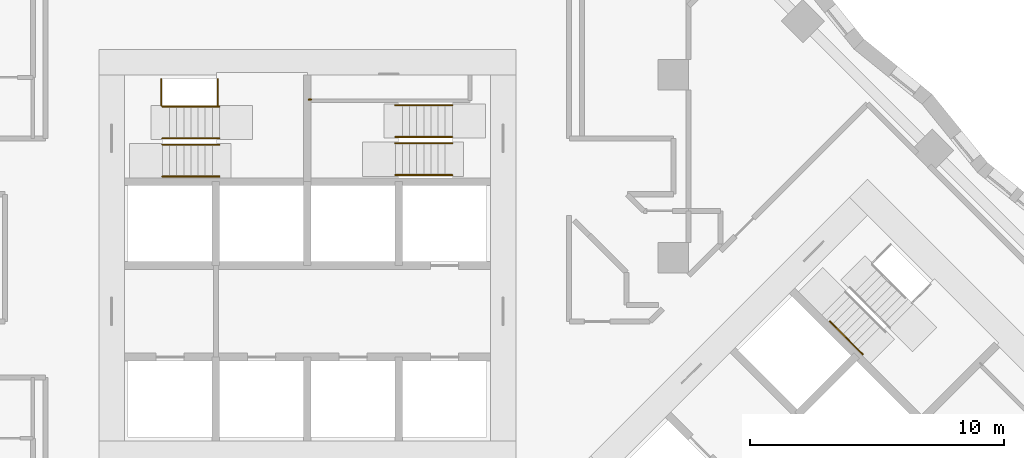
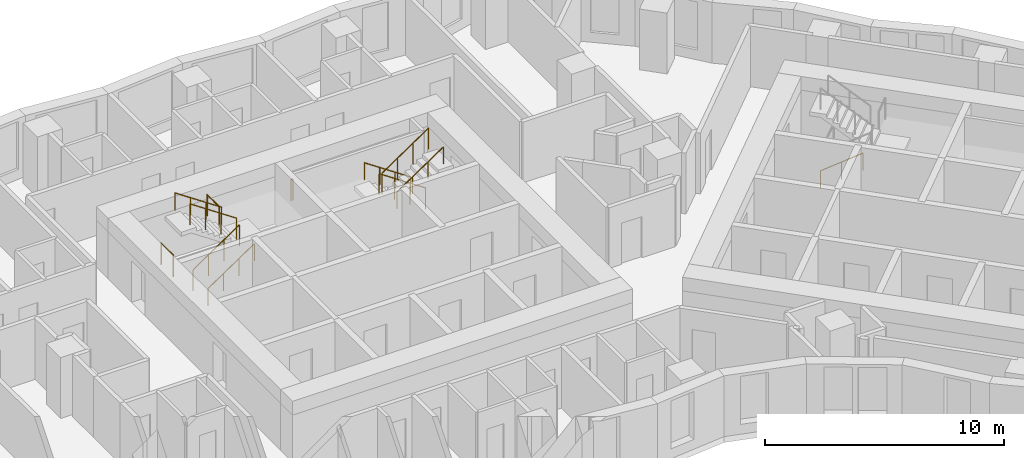
# One storey, part 12 of 13: 12 railings.
"""IFC4 building model written with IfcOpenShell, lengths in metres."""

from ifc_helpers import new_model, si_unit, direction, frame, origin, origin_2d, place, context, subcontext, project, spatial, circle, extrude, material, type_object, element, save


model = new_model("IFC4")

# Units and contexts
model_context = context("Model", 3, precision=1e-05, world=origin(), true_north=direction((0.0, 1.0)))
body_context = subcontext(model_context, "Body", "Model", "MODEL_VIEW")
ifc_project = project(units=[si_unit("LENGTHUNIT", "METRE"), si_unit("AREAUNIT", "SQUARE_METRE"), si_unit("VOLUMEUNIT", "CUBIC_METRE"), si_unit("PLANEANGLEUNIT", "RADIAN"), si_unit("MASSUNIT", "GRAM", prefix="KILO")], contexts=[model_context])

# Site, building, storey
site_placement = place(None, origin())
site = spatial("IfcSite", under=ifc_project, at=site_placement, CompositionType="ELEMENT")
building_placement = place(site_placement, origin())
building = spatial("IfcBuilding", under=site, at=building_placement, Name="Windrow Commons", CompositionType="ELEMENT")
storey_placement = place(building_placement, frame((0.0, 0.0, 33.8)))
storey = spatial("IfcBuildingStorey", under=building, at=storey_placement, Name="L08", CompositionType="ELEMENT", Elevation=33.8)

# Railings
ifc_material_1 = material(Name="Steel S355", Category="steel")
railing_type_1 = type_object("IfcRailingType", Name="Core stair guard 1100", PredefinedType="GUARDRAIL", material=ifc_material_1)
railing_1_placement = place(storey_placement, frame((59.1, 62.05, 0.1889)))
element("IfcRailing", 1, at=railing_1_placement, inside=storey, type_object=railing_type_1, Name="L08 ST-A1 stair guard 1", PredefinedType="GUARDRAIL", context=body_context, shape_type="SweptSolid", body=[
    extrude(circle(Radius=0.024, at=origin_2d()), frame((0.0, 0.0, 1.076), z_axis=(0.8290030985, 0.0, 0.5592440099), x_axis=(0.0, 1.0, 0.0)), (0.0, 0.0, 1.0), 2.702),
    extrude(circle(Radius=0.021, at=origin_2d()), origin(), (0.0, 0.0, 1.0), 1.052),
    extrude(circle(Radius=0.021, at=origin_2d()), frame((0.7467, 0.0, 0.5037)), (0.0, 0.0, 1.0), 1.052),
    extrude(circle(Radius=0.021, at=origin_2d()), frame((1.4933, 0.0, 1.0074)), (0.0, 0.0, 1.0), 1.052),
    extrude(circle(Radius=0.021, at=origin_2d()), frame((2.24, 0.0, 1.5111)), (0.0, 0.0, 1.0), 1.052),
])
railing_2_placement = place(storey_placement, frame((61.34, 62.3, 1.8889)))
element("IfcRailing", 2, at=railing_2_placement, inside=storey, type_object=railing_type_1, Name="L08 ST-A1 stair guard 2", PredefinedType="GUARDRAIL", context=body_context, shape_type="SweptSolid", body=[
    extrude(circle(Radius=0.024, at=origin_2d()), frame((0.0, 0.0, 1.076), z_axis=(-0.8290030985, 0.0, 0.5592440099), x_axis=(0.0, -1.0, 0.0)), (0.0, 0.0, 1.0), 2.702),
    extrude(circle(Radius=0.021, at=origin_2d()), origin(), (0.0, 0.0, 1.0), 1.052),
    extrude(circle(Radius=0.021, at=origin_2d()), frame((-0.7467, 0.0, 0.5037)), (0.0, 0.0, 1.0), 1.052),
    extrude(circle(Radius=0.021, at=origin_2d()), frame((-1.4933, 0.0, 1.0074)), (0.0, 0.0, 1.0), 1.052),
    extrude(circle(Radius=0.021, at=origin_2d()), frame((-2.24, 0.0, 1.5111)), (0.0, 0.0, 1.0), 1.052),
])
for number, where, name in (
    (3, (59.05, 63.6, 0.0), "L08 ST-A1 stair guard 3"),
    (4, (61.27, 63.6, 1.7), "L08 ST-A1 stair guard 4"),
):
    element("IfcRailing", number, at=place(storey_placement, frame(where)), inside=storey, type_object=railing_type_1, Name=name, PredefinedType="GUARDRAIL", context=body_context, shape_type="SweptSolid", body=[
        extrude(circle(Radius=0.024, at=origin_2d()), frame((0.0, 0.0, 1.076), z_axis=(0.0, 1.0, 0.0), x_axis=(-1.0, 0.0, 0.0)), (0.0, 0.0, 1.0), 1.03),
        extrude(circle(Radius=0.021, at=origin_2d()), origin(), (0.0, 0.0, 1.0), 1.052),
        extrude(circle(Radius=0.021, at=origin_2d()), frame((0.0, 1.03, 0.0)), (0.0, 0.0, 1.0), 1.052),
    ])
railing_3_placement = place(storey_placement, frame((70.5, 62.355, 0.1889)))
element("IfcRailing", 5, at=railing_3_placement, inside=storey, type_object=railing_type_1, Name="L08 ST-A2 stair guard 1", PredefinedType="GUARDRAIL", context=body_context, shape_type="SweptSolid", body=[
    extrude(circle(Radius=0.024, at=origin_2d()), frame((0.0, 0.0, 1.076), z_axis=(-0.8290030985, 0.0, 0.5592440099), x_axis=(0.0, -1.0, 0.0)), (0.0, 0.0, 1.0), 2.702),
    extrude(circle(Radius=0.021, at=origin_2d()), origin(), (0.0, 0.0, 1.0), 1.052),
    extrude(circle(Radius=0.021, at=origin_2d()), frame((-0.7467, 0.0, 0.5037)), (0.0, 0.0, 1.0), 1.052),
    extrude(circle(Radius=0.021, at=origin_2d()), frame((-1.4933, 0.0, 1.0074)), (0.0, 0.0, 1.0), 1.052),
    extrude(circle(Radius=0.021, at=origin_2d()), frame((-2.24, 0.0, 1.5111)), (0.0, 0.0, 1.0), 1.052),
])
railing_4_placement = place(storey_placement, frame((68.26, 62.105, 1.8889)))
element("IfcRailing", 6, at=railing_4_placement, inside=storey, type_object=railing_type_1, Name="L08 ST-A2 stair guard 2", PredefinedType="GUARDRAIL", context=body_context, shape_type="SweptSolid", body=[
    extrude(circle(Radius=0.024, at=origin_2d()), frame((0.0, 0.0, 1.076), z_axis=(0.8290030985, 0.0, 0.5592440099), x_axis=(0.0, 1.0, 0.0)), (0.0, 0.0, 1.0), 2.702),
    extrude(circle(Radius=0.021, at=origin_2d()), origin(), (0.0, 0.0, 1.0), 1.052),
    extrude(circle(Radius=0.021, at=origin_2d()), frame((0.7467, 0.0, 0.5037)), (0.0, 0.0, 1.0), 1.052),
    extrude(circle(Radius=0.021, at=origin_2d()), frame((1.4933, 0.0, 1.0074)), (0.0, 0.0, 1.0), 1.052),
    extrude(circle(Radius=0.021, at=origin_2d()), frame((2.24, 0.0, 1.5111)), (0.0, 0.0, 1.0), 1.052),
])
railing_5_placement = place(storey_placement, frame((64.95, 63.825, 1.7)))
element("IfcRailing", 7, at=railing_5_placement, inside=storey, type_object=railing_type_1, Name="L08 ST-A2 stair guard 3", PredefinedType="GUARDRAIL", context=body_context, shape_type="SweptSolid", body=[
    extrude(circle(Radius=0.024, at=origin_2d()), frame((0.0, 0.0, 1.076), z_axis=(-1.0, 0.0, 0.0), x_axis=(0.0, -1.0, 0.0)), (0.0, 0.0, 1.0), 0.1),
    extrude(circle(Radius=0.021, at=origin_2d()), origin(), (0.0, 0.0, 1.0), 1.052),
    extrude(circle(Radius=0.021, at=origin_2d()), frame((-0.1, 0.0, 0.0)), (0.0, 0.0, 1.0), 1.052),
])
ifc_material_2 = material(Name="Steel S355", Category="steel")
railing_type_2 = type_object("IfcRailingType", Name="Core stair handrail 900", PredefinedType="HANDRAIL", material=ifc_material_2)
railing_6_placement = place(storey_placement, frame((59.1, 60.8, 0.1889)))
element("IfcRailing", 8, at=railing_6_placement, inside=storey, type_object=railing_type_2, Name="L08 ST-A1 stair handrail 1", PredefinedType="HANDRAIL", context=body_context, shape_type="SweptSolid", body=[
    extrude(circle(Radius=0.024, at=origin_2d()), frame((0.0, 0.0, 0.876), z_axis=(0.8290030985, 0.0, 0.5592440099), x_axis=(0.0, 1.0, 0.0)), (0.0, 0.0, 1.0), 2.702),
    extrude(circle(Radius=0.021, at=origin_2d()), origin(), (0.0, 0.0, 1.0), 0.852),
    extrude(circle(Radius=0.021, at=origin_2d()), frame((0.7467, 0.0, 0.5037)), (0.0, 0.0, 1.0), 0.852),
    extrude(circle(Radius=0.021, at=origin_2d()), frame((1.4933, 0.0, 1.0074)), (0.0, 0.0, 1.0), 0.852),
    extrude(circle(Radius=0.021, at=origin_2d()), frame((2.24, 0.0, 1.5111)), (0.0, 0.0, 1.0), 0.852),
])
for number, where, name in (
    (9, (61.34, 63.55, 1.8889), "L08 ST-A1 stair handrail 2"),
    (10, (70.5, 63.605, 0.1889), "L08 ST-A2 stair handrail 1"),
):
    element("IfcRailing", number, at=place(storey_placement, frame(where)), inside=storey, type_object=railing_type_2, Name=name, PredefinedType="HANDRAIL", context=body_context, shape_type="SweptSolid", body=[
        extrude(circle(Radius=0.024, at=origin_2d()), frame((0.0, 0.0, 0.876), z_axis=(-0.8290030985, 0.0, 0.5592440099), x_axis=(0.0, -1.0, 0.0)), (0.0, 0.0, 1.0), 2.702),
        extrude(circle(Radius=0.021, at=origin_2d()), origin(), (0.0, 0.0, 1.0), 0.852),
        extrude(circle(Radius=0.021, at=origin_2d()), frame((-0.7467, 0.0, 0.5037)), (0.0, 0.0, 1.0), 0.852),
        extrude(circle(Radius=0.021, at=origin_2d()), frame((-1.4933, 0.0, 1.0074)), (0.0, 0.0, 1.0), 0.852),
        extrude(circle(Radius=0.021, at=origin_2d()), frame((-2.24, 0.0, 1.5111)), (0.0, 0.0, 1.0), 0.852),
    ])
railing_7_placement = place(storey_placement, frame((68.26, 60.855, 1.8889)))
element("IfcRailing", 11, at=railing_7_placement, inside=storey, type_object=railing_type_2, Name="L08 ST-A2 stair handrail 2", PredefinedType="HANDRAIL", context=body_context, shape_type="SweptSolid", body=[
    extrude(circle(Radius=0.024, at=origin_2d()), frame((0.0, 0.0, 0.876), z_axis=(0.8290030985, 0.0, 0.5592440099), x_axis=(0.0, 1.0, 0.0)), (0.0, 0.0, 1.0), 2.702),
    extrude(circle(Radius=0.021, at=origin_2d()), origin(), (0.0, 0.0, 1.0), 0.852),
    extrude(circle(Radius=0.021, at=origin_2d()), frame((0.7467, 0.0, 0.5037)), (0.0, 0.0, 1.0), 0.852),
    extrude(circle(Radius=0.021, at=origin_2d()), frame((1.4933, 0.0, 1.0074)), (0.0, 0.0, 1.0), 0.852),
    extrude(circle(Radius=0.021, at=origin_2d()), frame((2.24, 0.0, 1.5111)), (0.0, 0.0, 1.0), 0.852),
])
railing_8_placement = place(storey_placement, frame((85.3518, 55.1001, 0.4587)))
element("IfcRailing", 12, at=railing_8_placement, inside=storey, type_object=railing_type_2, Name="L08 ST-B1 stair handrail 1", PredefinedType="HANDRAIL", context=body_context, shape_type="SweptSolid", body=[
    extrude(circle(Radius=0.024, at=origin_2d()), frame((0.0, 0.0, 0.876), z_axis=(0.586206706, -0.5861616513, 0.5592639952), x_axis=(0.7070796062, 0.7071339551, 0.0)), (0.0, 0.0, 1.0), 2.2195),
    extrude(circle(Radius=0.021, at=origin_2d()), origin(), (0.0, 0.0, 1.0), 0.852),
    extrude(circle(Radius=0.021, at=origin_2d()), frame((0.6506, -0.6505, 0.6207)), (0.0, 0.0, 1.0), 0.852),
    extrude(circle(Radius=0.021, at=origin_2d()), frame((1.3011, -1.301, 1.2413)), (0.0, 0.0, 1.0), 0.852),
])

save(model, "model.ifc")
